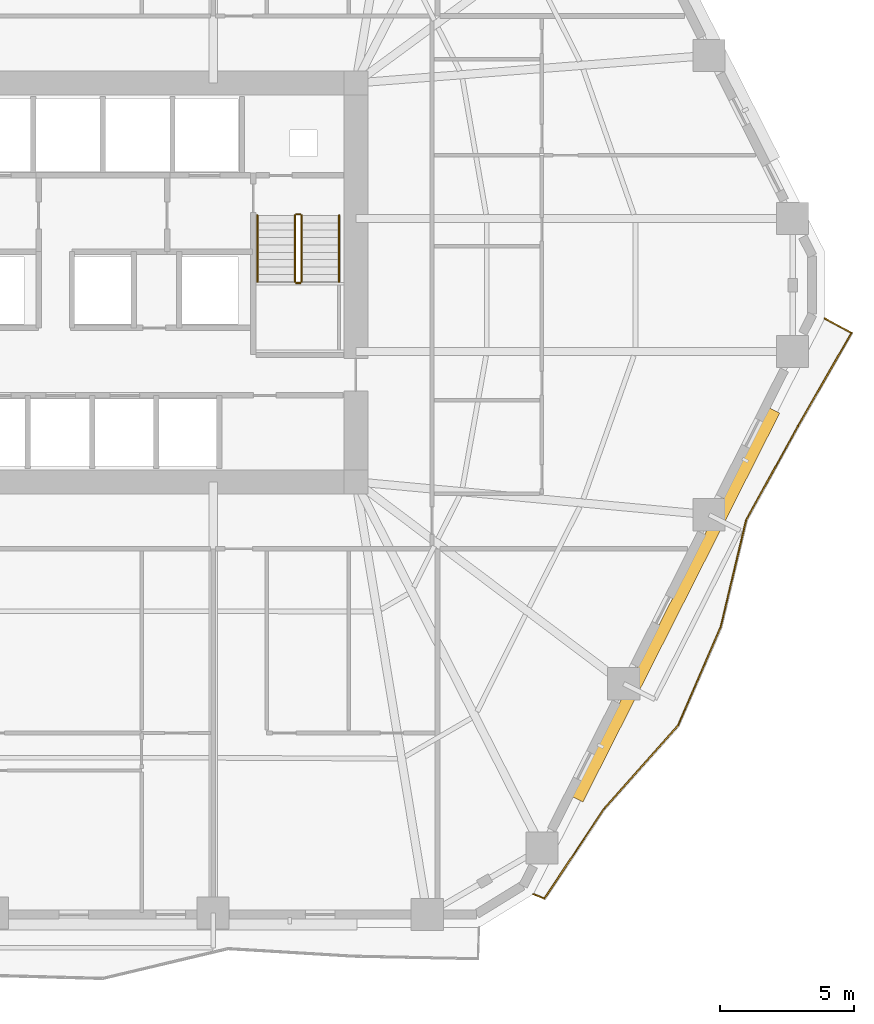
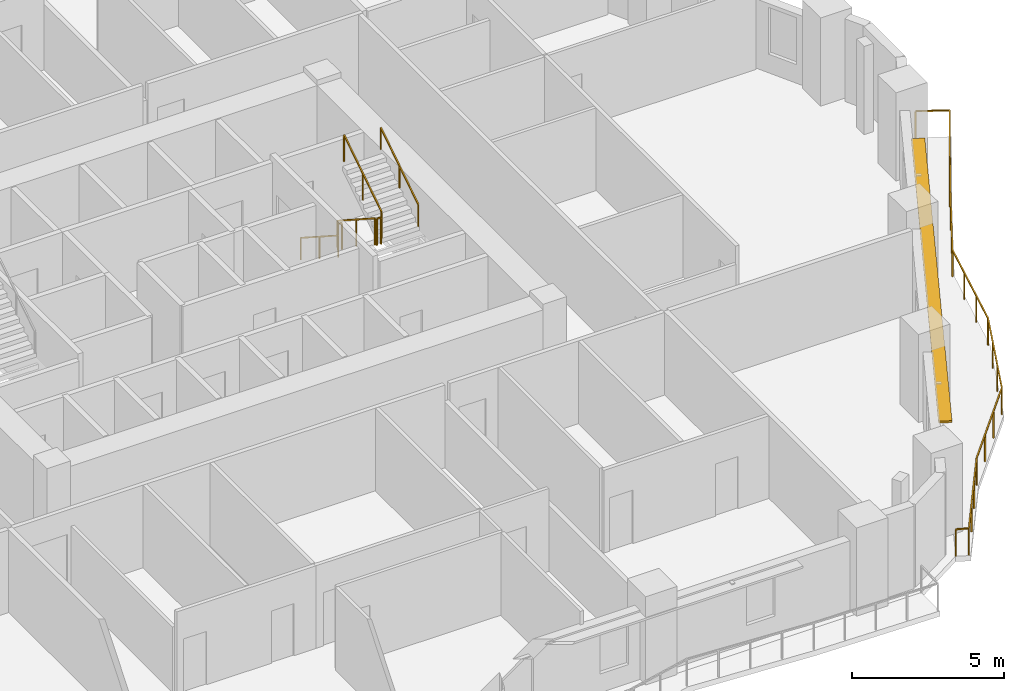
# One storey, part 13 of 14: 7 railings, 1 shading device.
"""IFC4 building model written with IfcOpenShell, lengths in metres."""

import ifcopenshell
import ifcopenshell.guid

model = None  # the IFC model being written
_history = None  # IfcOwnerHistory: only IFC2X3 demands one
_inside = {}  # id of a spatial element -> (the spatial element, [elements in it])
_under = {}  # id of a project, library or spatial element -> (it, [spatial elements below it])
_declared = {}  # id of a project -> (the project, [libraries it declares])
_typed = {}  # id of a type object -> (the type object, [elements of that type])
_made_of = {}  # id of a material, layer set ... -> (it, [elements and type objects made of it])


def new_model(schema):
    """Start an empty IFC model of exactly this schema.

    Asked for "IFC4X3", IfcOpenShell would pick the latest addendum, in which some entities
    have other attributes; the version numbers below select the first issue.
    IFC2X3 requires an IfcOwnerHistory on every rooted entity: one is made here for all.
    """
    global model, _history
    if schema == "IFC4X3":
        model = ifcopenshell.file(schema_version=(4, 3, 0, 0))
    else:
        model = ifcopenshell.file(schema=schema)
    _inside.clear()
    _under.clear()
    _declared.clear()
    _typed.clear()
    _made_of.clear()
    _history = None
    if model.schema == "IFC2X3":
        org = make("IfcOrganization", Name="unknown")
        user = make(
            "IfcPersonAndOrganization",
            ThePerson=make("IfcPerson", FamilyName="unknown"),
            TheOrganization=org,
        )
        app = make(
            "IfcApplication",
            ApplicationDeveloper=org,
            Version="unknown",
            ApplicationFullName="unknown",
            ApplicationIdentifier="unknown",
        )
        _history = make(
            "IfcOwnerHistory",
            OwningUser=user,
            OwningApplication=app,
            ChangeAction="ADDED",
            CreationDate=0,
        )
    return model


def make(cls, **values):
    """One entity of the class cls with the attributes given. An attribute that is None is left unset."""
    return model.create_entity(
        cls, **{name: value for name, value in values.items() if value is not None}
    )


def rooted(cls, **values):
    """An entity with a GlobalId (a new one), such as an element, a storey or a relation."""
    return make(cls, GlobalId=ifcopenshell.guid.new(), OwnerHistory=_history, **values)


def si_unit(unit_type, name, prefix=None):
    """IfcSIUnit, for example si_unit("LENGTHUNIT", "METRE", prefix="MILLI")."""
    return make("IfcSIUnit", UnitType=unit_type, Prefix=prefix, Name=name)


def assignment(units):
    """IfcUnitAssignment: the units of a project."""
    return None if units is None else make("IfcUnitAssignment", Units=units)


def point(xyz):
    """IfcCartesianPoint."""
    return None if xyz is None else make("IfcCartesianPoint", Coordinates=xyz)


def direction(xyz):
    """IfcDirection."""
    return None if xyz is None else make("IfcDirection", DirectionRatios=xyz)


def frame(location, z_axis=None, x_axis=None):
    """IfcAxis2Placement3D, a coordinate frame: its origin and axes. An axis left out is left unset."""
    return make(
        "IfcAxis2Placement3D",
        Location=point(location),
        Axis=direction(z_axis),
        RefDirection=direction(x_axis),
    )


def frame_2d(location, x_axis=None):
    """IfcAxis2Placement2D, a coordinate frame in the plane: its origin and x axis."""
    return make(
        "IfcAxis2Placement2D", Location=point(location), RefDirection=direction(x_axis)
    )


def origin():
    """The frame at (0, 0, 0) with its axes left unset."""
    return frame((0.0, 0.0, 0.0))


def origin_2d():
    """The frame at (0, 0) in the plane with its x axis left unset."""
    return frame_2d((0.0, 0.0))


def place(relative_to, where):
    """IfcLocalPlacement: puts the frame where relative to a parent placement (None: the world)."""
    return make(
        "IfcLocalPlacement", PlacementRelTo=relative_to, RelativePlacement=where
    )


def context(
    kind, dimensions, precision=None, world=None, true_north=None, identifier=None
):
    """IfcGeometricRepresentationContext, for example the 3D "Model" context."""
    return make(
        "IfcGeometricRepresentationContext",
        ContextIdentifier=identifier,
        ContextType=kind,
        CoordinateSpaceDimension=dimensions,
        Precision=precision,
        WorldCoordinateSystem=world,
        TrueNorth=true_north,
    )


def subcontext(parent, identifier, kind, view, scale=None):
    """IfcGeometricRepresentationSubContext, for example "Body" below "Model"."""
    return make(
        "IfcGeometricRepresentationSubContext",
        ContextIdentifier=identifier,
        ContextType=kind,
        ParentContext=parent,
        TargetScale=scale,
        TargetView=view,
    )


def project(units=None, contexts=None):
    """IfcProject with its units and contexts."""
    return rooted(
        "IfcProject",
        Name="project",
        RepresentationContexts=contexts,
        UnitsInContext=assignment(units),
    )


def spatial(cls, under=None, at=None, **own):
    """A site, building, storey or space (cls), placed at a placement, below another one or the project."""
    s = rooted(cls, ObjectPlacement=at, **own)
    if under is not None:
        _under.setdefault(under.id(), (under, []))[1].append(s)
    return s


def profile(cls, at=None, kind="AREA", **sizes):
    """A parametric profile (cls). Its sizes go by their IFC names, for example OverallWidth=200.0."""
    return make(cls, ProfileType=kind, Position=at, **sizes)


def rectangle(**sizes):
    """IfcRectangleProfileDef."""
    return profile("IfcRectangleProfileDef", **sizes)


def extrude(swept, where, along, depth):
    """IfcExtrudedAreaSolid: the profile swept, set in the frame where, extruded along a direction by depth."""
    return make(
        "IfcExtrudedAreaSolid",
        SweptArea=swept,
        Position=where,
        ExtrudedDirection=direction(along),
        Depth=depth,
    )


def shape(context_of_items, identifier, shape_type, items):
    """IfcShapeRepresentation: the items that make up one representation, for example the "Body"."""
    return make(
        "IfcShapeRepresentation",
        ContextOfItems=context_of_items,
        RepresentationIdentifier=identifier,
        RepresentationType=shape_type,
        Items=items,
    )


def material(Name=None, Category=None):
    """IfcMaterial."""
    return make("IfcMaterial", Name=Name, Category=Category)


def layer(
    of_material, thickness, ventilated=None, Name=None, Category=None, Priority=None
):
    """IfcMaterialLayer: one layer of a wall or slab, of a material (None: an air gap)."""
    return make(
        "IfcMaterialLayer",
        Material=of_material,
        LayerThickness=thickness,
        IsVentilated=ventilated,
        Name=Name,
        Category=Category,
        Priority=Priority,
    )


def layer_set(layers, Name=None):
    """IfcMaterialLayerSet."""
    return make("IfcMaterialLayerSet", MaterialLayers=layers, LayerSetName=Name)


def made_of(thing, what):
    """Note that an element or type object is made of a material, layer set ...; save() writes the relation."""
    if what is not None:
        _made_of.setdefault(what.id(), (what, []))[1].append(thing)
    return thing


def type_object(cls, material=None, **own):
    """A type object (cls), such as IfcWallType, which elements share."""
    return made_of(rooted(cls, **own), material)


def element(
    cls,
    number,
    at=None,
    inside=None,
    cuts=None,
    type_object=None,
    material=None,
    context=None,
    identifier="Body",
    shape_type=None,
    held_by="IfcProductDefinitionShape",
    body=None,
    shapes=None,
    **own,
):
    """One element of the class cls, such as IfcWall. Its Tag is "e" and its number.

    at: its placement. inside: the storey or other place that contains it. cuts: it is an
    opening in that element (IfcRelVoidsElement). A single representation is given by context,
    identifier, shape_type and body (its items); several are given by shapes. held_by: the class
    of the entity that holds the representations. save() writes the other relations.
    """
    e = rooted(cls, Tag="e%d" % number, ObjectPlacement=at, **own)
    if body is not None:
        shapes = [shape(context, identifier, shape_type, body)]
    if shapes is not None:
        e.Representation = make(held_by, Representations=shapes)
    if inside is not None:
        _inside.setdefault(inside.id(), (inside, []))[1].append(e)
    if cuts is not None:
        rooted(
            "IfcRelVoidsElement", RelatingBuildingElement=cuts, RelatedOpeningElement=e
        )
    if type_object is not None:
        _typed.setdefault(type_object.id(), (type_object, []))[1].append(e)
    return made_of(e, material)


def aggregate(whole, parts):
    """IfcRelAggregates: a whole, such as a stair, and the parts it consists of."""
    return rooted("IfcRelAggregates", RelatingObject=whole, RelatedObjects=parts)


def save(model, path):
    """Write the relations noted so far, then the file.

    IfcRelAggregates (storeys below a building ...), IfcRelContainedInSpatialStructure (elements
    in a storey), IfcRelDefinesByType, IfcRelAssociatesMaterial and IfcRelDeclares: one each for
    every whole, place, type object, material and project.
    """
    for whole, parts in _under.values():
        aggregate(whole, parts)
    for where, things in _inside.values():
        rooted(
            "IfcRelContainedInSpatialStructure",
            RelatedElements=things,
            RelatingStructure=where,
        )
    for kind, things in _typed.values():
        rooted("IfcRelDefinesByType", RelatedObjects=things, RelatingType=kind)
    for what, things in _made_of.values():
        rooted("IfcRelAssociatesMaterial", RelatedObjects=things, RelatingMaterial=what)
    for by, libraries in _declared.values():
        rooted("IfcRelDeclares", RelatingContext=by, RelatedDefinitions=libraries)
    model.write(path)


model = new_model("IFC4")

# Units and contexts
model_context = context("Model", 3, precision=1e-05, world=origin(), true_north=direction((0.0, 1.0)))
body_context = subcontext(model_context, "Body", "Model", "MODEL_VIEW")
ifc_project = project(units=[si_unit("LENGTHUNIT", "METRE"), si_unit("AREAUNIT", "SQUARE_METRE"), si_unit("VOLUMEUNIT", "CUBIC_METRE"), si_unit("PLANEANGLEUNIT", "RADIAN"), si_unit("MASSUNIT", "GRAM", prefix="KILO")], contexts=[model_context])

# Site, building, storey
site_placement = place(None, origin())
site = spatial("IfcSite", under=ifc_project, at=site_placement, CompositionType="ELEMENT")
building_placement = place(site_placement, origin())
building = spatial("IfcBuilding", under=site, at=building_placement, Name="Cinnabar Lancet Tower", CompositionType="ELEMENT")
storey_placement = place(building_placement, frame((0.0, 0.0, 53.300048828125)))
storey = spatial("IfcBuildingStorey", under=building, at=storey_placement, Name="L13", CompositionType="ELEMENT", Elevation=53.300048828125)

# Railing
ifc_material_1 = material(Name="Laminated safety glass and bronze stainless steel balustrade", Category="steel")
railing_type_1 = type_object("IfcRailingType", Name="ENV-RLG-BAL-1100", PredefinedType="BALUSTRADE", material=ifc_material_1)
railing_1_placement = place(storey_placement, frame((48.488037109375, 3.049072265625, 0.0)))
element("IfcRailing", 1, at=railing_1_placement, inside=storey, type_object=railing_type_1, Name="L13 Face 2 Wave Balcony Balustrade", PredefinedType="BALUSTRADE", context=body_context, shape_type="SweptSolid", body=[
    extrude(rectangle(XDim=0.048095703125, YDim=0.048095703125, at=origin_2d()), frame((0.0, 0.0, 1.076171875), z_axis=(0.922730984255, -0.38544458836, 0.0), x_axis=(0.38544458836, 0.922730984255, 0.0)), (0.0, 0.0, 1.0), 0.43896484375),
    extrude(rectangle(XDim=0.048095703125, YDim=0.048095703125, at=origin_2d()), frame((0.405029296875, -0.169189453125, 1.076171875), z_axis=(0.553247576024, 0.833016878354, 0.0), x_axis=(-0.833016878354, 0.553247576024, 0.0)), (0.0, 0.0, 1.0), 4.035888671875),
    extrude(rectangle(XDim=0.048095703125, YDim=0.048095703125, at=origin_2d()), frame((2.637939453125, 3.19287109375, 1.076171875), z_axis=(0.664495506752, 0.747292259766, 0.0), x_axis=(-0.747292259766, 0.664495506752, 0.0)), (0.0, 0.0, 1.0), 4.142822265625),
    extrude(rectangle(XDim=0.048095703125, YDim=0.048095703125, at=origin_2d()), frame((5.390869140625, 6.288818359375, 1.076171875), z_axis=(0.398730560593, 0.917068121815, 0.0), x_axis=(-0.917068121815, 0.398730560593, 0.0)), (0.0, 0.0, 1.0), 4.012939453125),
    extrude(rectangle(XDim=0.048095703125, YDim=0.048095703125, at=origin_2d()), frame((6.990966796875, 9.968994140625, 1.076171875), z_axis=(0.231361401159, 0.972867874921, 0.0), x_axis=(-0.972867874921, 0.231361401159, 0.0)), (0.0, 0.0, 1.0), 4.11865234375),
    extrude(rectangle(XDim=0.048095703125, YDim=0.048095703125, at=origin_2d()), frame((7.94384765625, 13.975830078125, 1.076171875), z_axis=(0.483500713315, 0.875343966806, 0.0), x_axis=(-0.875343966806, 0.483500713315, 0.0)), (0.0, 0.0, 1.0), 4.0087890625),
    extrude(rectangle(XDim=0.048095703125, YDim=0.048095703125, at=origin_2d()), frame((9.882080078125, 17.48486328125, 1.076171875), z_axis=(0.497691220952, 0.867354280895, 0.0), x_axis=(-0.867354280895, 0.497691220952, 0.0)), (0.0, 0.0, 1.0), 4.01220703125),
    extrude(rectangle(XDim=0.048095703125, YDim=0.048095703125, at=origin_2d()), frame((11.87890625, 20.96484375, 1.076171875), z_axis=(-0.880775023811, 0.473534959038, 0.0), x_axis=(-0.473534959038, -0.880775023811, 0.0)), (0.0, 0.0, 1.0), 1.13427734375),
    extrude(rectangle(XDim=0.0419921875, YDim=0.0419921875, at=origin_2d()), origin(), (0.0, 0.0, 1.0), 1.052001953125),
    extrude(rectangle(XDim=0.0419921875, YDim=0.0419921875, at=origin_2d()), frame((0.405029296875, -0.169189453125, 0.0)), (0.0, 0.0, 1.0), 1.052001953125),
    extrude(rectangle(XDim=0.0419921875, YDim=0.0419921875, at=origin_2d()), frame((1.1494140625, 0.951416015625, 0.0)), (0.0, 0.0, 1.0), 1.052001953125),
    extrude(rectangle(XDim=0.0419921875, YDim=0.0419921875, at=origin_2d()), frame((1.8935546875, 2.072265625, 0.0)), (0.0, 0.0, 1.0), 1.052001953125),
    extrude(rectangle(XDim=0.0419921875, YDim=0.0419921875, at=origin_2d()), frame((2.637939453125, 3.19287109375, 0.0)), (0.0, 0.0, 1.0), 1.052001953125),
    extrude(rectangle(XDim=0.0419921875, YDim=0.0419921875, at=origin_2d()), frame((3.5556640625, 4.224853515625, 0.0)), (0.0, 0.0, 1.0), 1.052001953125),
    extrude(rectangle(XDim=0.0419921875, YDim=0.0419921875, at=origin_2d()), frame((4.47314453125, 5.2568359375, 0.0)), (0.0, 0.0, 1.0), 1.052001953125),
    extrude(rectangle(XDim=0.0419921875, YDim=0.0419921875, at=origin_2d()), frame((5.390869140625, 6.288818359375, 0.0)), (0.0, 0.0, 1.0), 1.052001953125),
    extrude(rectangle(XDim=0.0419921875, YDim=0.0419921875, at=origin_2d()), frame((5.92431640625, 7.515625, 0.0)), (0.0, 0.0, 1.0), 1.052001953125),
    extrude(rectangle(XDim=0.0419921875, YDim=0.0419921875, at=origin_2d()), frame((6.45751953125, 8.7421875, 0.0)), (0.0, 0.0, 1.0), 1.052001953125),
    extrude(rectangle(XDim=0.0419921875, YDim=0.0419921875, at=origin_2d()), frame((6.990966796875, 9.968994140625, 0.0)), (0.0, 0.0, 1.0), 1.052001953125),
    extrude(rectangle(XDim=0.0419921875, YDim=0.0419921875, at=origin_2d()), frame((7.30859375, 11.3046875, 0.0)), (0.0, 0.0, 1.0), 1.052001953125),
    extrude(rectangle(XDim=0.0419921875, YDim=0.0419921875, at=origin_2d()), frame((7.626220703125, 12.64013671875, 0.0)), (0.0, 0.0, 1.0), 1.052001953125),
    extrude(rectangle(XDim=0.0419921875, YDim=0.0419921875, at=origin_2d()), frame((7.94384765625, 13.975830078125, 0.0)), (0.0, 0.0, 1.0), 1.052001953125),
    extrude(rectangle(XDim=0.0419921875, YDim=0.0419921875, at=origin_2d()), frame((8.58984375, 15.1455078125, 0.0)), (0.0, 0.0, 1.0), 1.052001953125),
    extrude(rectangle(XDim=0.0419921875, YDim=0.0419921875, at=origin_2d()), frame((9.236083984375, 16.315185546875, 0.0)), (0.0, 0.0, 1.0), 1.052001953125),
    extrude(rectangle(XDim=0.0419921875, YDim=0.0419921875, at=origin_2d()), frame((9.882080078125, 17.48486328125, 0.0)), (0.0, 0.0, 1.0), 1.052001953125),
    extrude(rectangle(XDim=0.0419921875, YDim=0.0419921875, at=origin_2d()), frame((10.547607421875, 18.644775390625, 0.0)), (0.0, 0.0, 1.0), 1.052001953125),
    extrude(rectangle(XDim=0.0419921875, YDim=0.0419921875, at=origin_2d()), frame((11.21337890625, 19.804931640625, 0.0)), (0.0, 0.0, 1.0), 1.052001953125),
    extrude(rectangle(XDim=0.0419921875, YDim=0.0419921875, at=origin_2d()), frame((11.87890625, 20.96484375, 0.0)), (0.0, 0.0, 1.0), 1.052001953125),
    extrude(rectangle(XDim=0.0419921875, YDim=0.0419921875, at=origin_2d()), frame((10.8798828125, 21.501953125, 0.0)), (0.0, 0.0, 1.0), 1.052001953125),
])

# Shading device
ifc_material_2 = material(Name="Pale limestone architectural aluminium sunshade", Category="masonry")
ifc_layer = layer(ifc_material_2, 0.080078125)
ifc_layer_set = layer_set([ifc_layer], Name="Pale limestone architectural aluminium sunshade")
shading_device_type = type_object("IfcShadingDeviceType", Name="ENV-SHD-LVR-450", PredefinedType="JALOUSIE", material=ifc_layer_set)
shading_device_placement = place(storey_placement, frame((53.81005859375, 13.85595703125, 2.639892578125), z_axis=(0.0, 0.0, 1.0), x_axis=(0.451500573218, 0.892270829056, 0.0)))
element("IfcShadingDevice", 2, at=shading_device_placement, inside=storey, type_object=shading_device_type, Name="L13 Face 2 Horizontal Sunshade Canopy", PredefinedType="JALOUSIE", context=body_context, shape_type="SweptSolid", body=[
    extrude(rectangle(XDim=16.279052734375, YDim=0.449951171875, at=origin_2d()), origin(), (0.0, 0.0, 1.0), 0.080078125),
])

# Railings
ifc_material_3 = material(Name="Painted galvanized steel balustrade", Category="steel")
railing_type_2 = type_object("IfcRailingType", Name="GUARD-STAIR", PredefinedType="GUARDRAIL", material=ifc_material_3)
railing_2_placement = place(storey_placement, frame((39.574951171875, 28.39990234375, 0.177490234375)))
element("IfcRailing", 3, at=railing_2_placement, inside=storey, type_object=railing_type_2, Name="L13 ST-2 stair guard 1", PredefinedType="GUARDRAIL", context=body_context, shape_type="SweptSolid", body=[
    extrude(rectangle(XDim=0.048095703125, YDim=0.048095703125, at=origin_2d()), frame((0.0, 0.0, 1.076171875), z_axis=(0.0, -0.840183358697, 0.542302428327), x_axis=(1.0, 0.0, 0.0)), (0.0, 0.0, 1.0), 2.945556640625),
    extrude(rectangle(XDim=0.0419921875, YDim=0.0419921875, at=origin_2d()), origin(), (0.0, 0.0, 1.0), 1.052001953125),
    extrude(rectangle(XDim=0.0419921875, YDim=0.0419921875, at=origin_2d()), frame((0.0, -1.2373046875, 0.798828125)), (0.0, 0.0, 1.0), 1.052001953125),
    extrude(rectangle(XDim=0.0419921875, YDim=0.0419921875, at=origin_2d()), frame((0.0, -2.474853515625, 1.597412109375)), (0.0, 0.0, 1.0), 1.052001953125),
])
railing_3_placement = place(storey_placement, frame((39.625, 25.875, 1.77490234375)))
element("IfcRailing", 4, at=railing_3_placement, inside=storey, type_object=railing_type_2, Name="L13 ST-2 stair guard 2", PredefinedType="GUARDRAIL", context=body_context, shape_type="SweptSolid", body=[
    extrude(rectangle(XDim=0.048095703125, YDim=0.048095703125, at=origin_2d()), frame((0.0, 0.0, 1.076171875), z_axis=(1.0, 0.0, 0.0), x_axis=(0.0, 1.0, 0.0)), (0.0, 0.0, 1.0), 0.14990234375),
    extrude(rectangle(XDim=0.0419921875, YDim=0.0419921875, at=origin_2d()), origin(), (0.0, 0.0, 1.0), 1.052001953125),
    extrude(rectangle(XDim=0.0419921875, YDim=0.0419921875, at=origin_2d()), frame((0.14990234375, 0.0, 0.0)), (0.0, 0.0, 1.0), 1.052001953125),
])
railing_4_placement = place(storey_placement, frame((39.824951171875, 25.925048828125, 1.952392578125)))
element("IfcRailing", 5, at=railing_4_placement, inside=storey, type_object=railing_type_2, Name="L13 ST-2 stair guard 3", PredefinedType="GUARDRAIL", context=body_context, shape_type="SweptSolid", body=[
    extrude(rectangle(XDim=0.048095703125, YDim=0.048095703125, at=origin_2d()), frame((0.0, 0.0, 1.076171875), z_axis=(0.0, 0.84014559416, 0.542360932049), x_axis=(-1.0, 0.0, 0.0)), (0.0, 0.0, 1.0), 2.94580078125),
    extrude(rectangle(XDim=0.0419921875, YDim=0.0419921875, at=origin_2d()), origin(), (0.0, 0.0, 1.0), 1.052001953125),
    extrude(rectangle(XDim=0.0419921875, YDim=0.0419921875, at=origin_2d()), frame((0.0, 1.2373046875, 0.798828125)), (0.0, 0.0, 1.0), 1.052001953125),
    extrude(rectangle(XDim=0.0419921875, YDim=0.0419921875, at=origin_2d()), frame((0.0, 2.474853515625, 1.59765625)), (0.0, 0.0, 1.0), 1.052001953125),
])
railing_5_placement = place(storey_placement, frame((39.625, 28.449951171875, 0.0)))
element("IfcRailing", 6, at=railing_5_placement, inside=storey, type_object=railing_type_2, Name="L13 ST-2 stair guard 4", PredefinedType="GUARDRAIL", context=body_context, shape_type="SweptSolid", body=[
    extrude(rectangle(XDim=0.048095703125, YDim=0.048095703125, at=origin_2d()), frame((0.0, 0.0, 1.076171875), z_axis=(1.0, 0.0, 0.0), x_axis=(0.0, 1.0, 0.0)), (0.0, 0.0, 1.0), 0.14990234375),
    extrude(rectangle(XDim=0.0419921875, YDim=0.0419921875, at=origin_2d()), origin(), (0.0, 0.0, 1.0), 1.052001953125),
    extrude(rectangle(XDim=0.0419921875, YDim=0.0419921875, at=origin_2d()), frame((0.14990234375, 0.0, 0.0)), (0.0, 0.0, 1.0), 1.052001953125),
])
ifc_material_4 = material(Name="Brushed stainless steel handrail", Category="steel")
railing_type_3 = type_object("IfcRailingType", Name="HANDRAIL-STAIR", PredefinedType="HANDRAIL", material=ifc_material_4)
railing_6_placement = place(storey_placement, frame((38.175048828125, 28.39990234375, 0.177490234375)))
element("IfcRailing", 7, at=railing_6_placement, inside=storey, type_object=railing_type_3, Name="L13 ST-2 stair handrail 1", PredefinedType="HANDRAIL", context=body_context, shape_type="SweptSolid", body=[
    extrude(rectangle(XDim=0.048095703125, YDim=0.048095703125, at=origin_2d()), frame((0.0, 0.0, 0.8759765625), z_axis=(0.0, -0.840183358697, 0.542302428327), x_axis=(1.0, 0.0, 0.0)), (0.0, 0.0, 1.0), 2.945556640625),
    extrude(rectangle(XDim=0.0419921875, YDim=0.0419921875, at=origin_2d()), origin(), (0.0, 0.0, 1.0), 0.851806640625),
    extrude(rectangle(XDim=0.0419921875, YDim=0.0419921875, at=origin_2d()), frame((0.0, -1.2373046875, 0.798828125)), (0.0, 0.0, 1.0), 0.851806640625),
    extrude(rectangle(XDim=0.0419921875, YDim=0.0419921875, at=origin_2d()), frame((0.0, -2.474853515625, 1.597412109375)), (0.0, 0.0, 1.0), 0.851806640625),
])
railing_7_placement = place(storey_placement, frame((41.22509765625, 25.925048828125, 1.952392578125)))
element("IfcRailing", 8, at=railing_7_placement, inside=storey, type_object=railing_type_3, Name="L13 ST-2 stair handrail 2", PredefinedType="HANDRAIL", context=body_context, shape_type="SweptSolid", body=[
    extrude(rectangle(XDim=0.048095703125, YDim=0.048095703125, at=origin_2d()), frame((0.0, 0.0, 0.8759765625), z_axis=(0.0, 0.84014559416, 0.542360932049), x_axis=(-1.0, 0.0, 0.0)), (0.0, 0.0, 1.0), 2.94580078125),
    extrude(rectangle(XDim=0.0419921875, YDim=0.0419921875, at=origin_2d()), origin(), (0.0, 0.0, 1.0), 0.851806640625),
    extrude(rectangle(XDim=0.0419921875, YDim=0.0419921875, at=origin_2d()), frame((0.0, 1.2373046875, 0.798828125)), (0.0, 0.0, 1.0), 0.851806640625),
    extrude(rectangle(XDim=0.0419921875, YDim=0.0419921875, at=origin_2d()), frame((0.0, 2.474853515625, 1.59765625)), (0.0, 0.0, 1.0), 0.851806640625),
])

save(model, "model.ifc")
